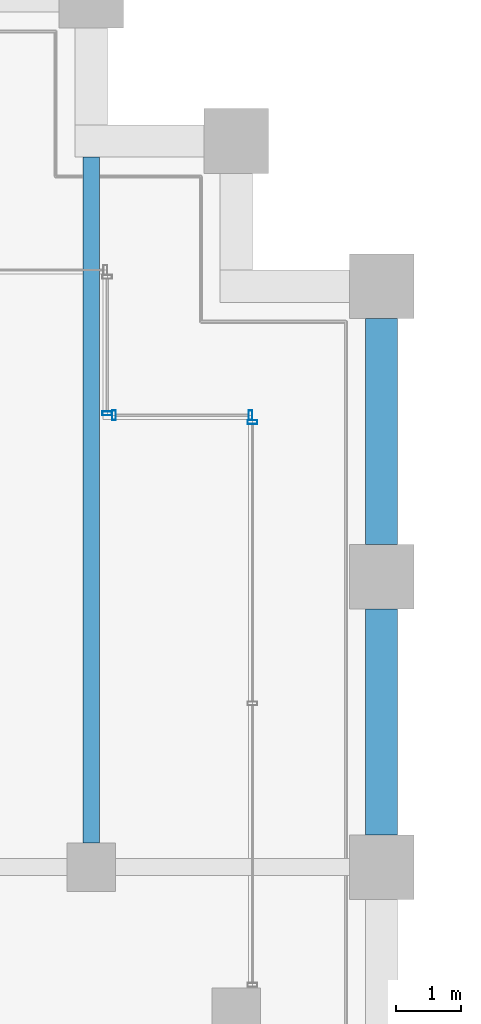
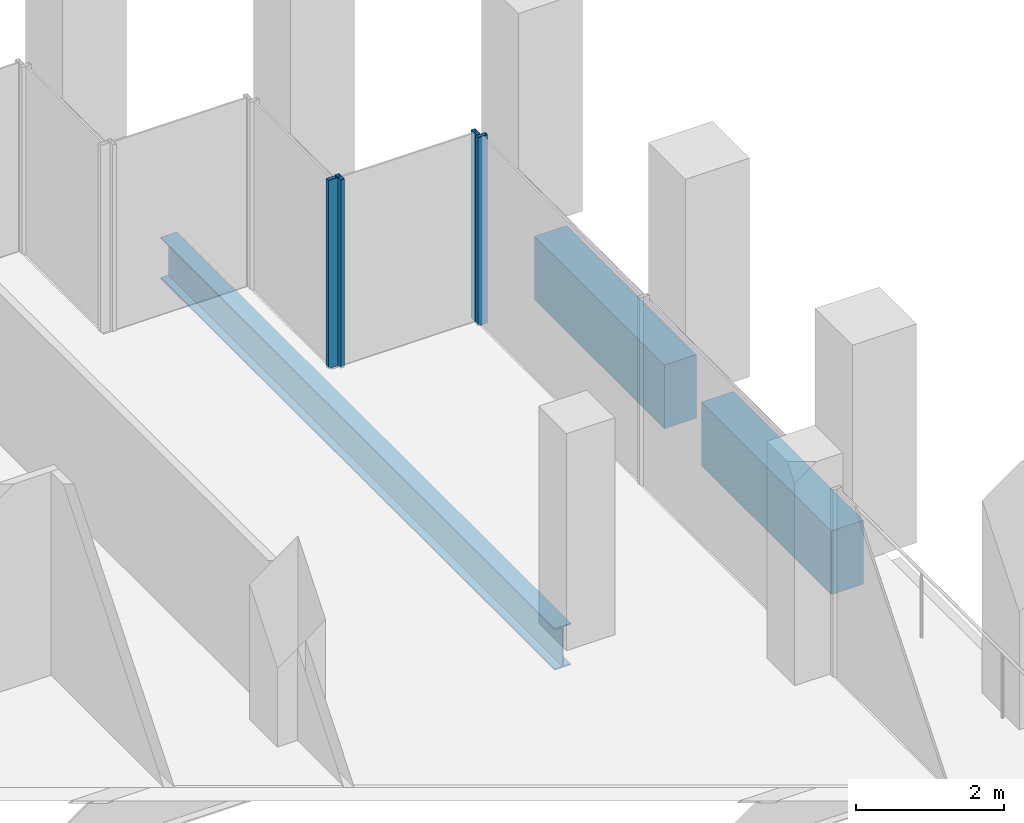
# One storey, part 25 of 45: 4 members, 3 beams, 3 elements without a shape of their own.
"""IFC4 building model written with IfcOpenShell, lengths in metres."""

from ifc_helpers import new_model, si_unit, direction, frame, origin, origin_2d, place, context, subcontext, project, spatial, rectangle, hollow_rectangle, i_section, extrude, material, material_profile, profile_set, type_object, element, aggregate, save


model = new_model("IFC4")

# Units and contexts
model_context = context("Model", 3, precision=1e-05, world=origin(), true_north=direction((0.0, 1.0)))
body_context = subcontext(model_context, "Body", "Model", "MODEL_VIEW")
ifc_project = project(units=[si_unit("LENGTHUNIT", "METRE"), si_unit("AREAUNIT", "SQUARE_METRE"), si_unit("VOLUMEUNIT", "CUBIC_METRE"), si_unit("PLANEANGLEUNIT", "RADIAN"), si_unit("MASSUNIT", "GRAM", prefix="KILO")], contexts=[model_context])

# Site, building, storey
site_placement = place(None, origin())
site = spatial("IfcSite", under=ifc_project, at=site_placement, CompositionType="ELEMENT")
building_placement = place(site_placement, origin())
building = spatial("IfcBuilding", under=site, at=building_placement, Name="Altepetl Exchange Towers", CompositionType="ELEMENT")
storey_placement = place(building_placement, frame((0.0, 0.0, 110.0)))
storey = spatial("IfcBuildingStorey", under=building, at=storey_placement, Name="L27", CompositionType="ELEMENT", Elevation=110.0)

# Beam
ifc_material_1 = material(Name="Steel S355", Category="steel")
ifc_material_profile_1 = material_profile(ifc_material_1, i_section(OverallWidth=0.25390625, OverallDepth=0.68408203125, WebThickness=0.012451171875, FlangeThickness=0.018798828125, at=origin_2d()), Name="W27X94")
ifc_profile_set_1 = profile_set([ifc_material_profile_1], Name="Steel S355")
beam_type_1 = type_object("IfcBeamType", Name="Floor beam W27X94", PredefinedType="BEAM", material=ifc_profile_set_1)
beam_placement = place(storey_placement, frame((67.5, 58.875, -0.491943359375), z_axis=(0.0, 1.0, 0.0), x_axis=(-1.0, 0.0, 0.0)))
element("IfcBeam", 1, at=beam_placement, inside=storey, type_object=beam_type_1, Name="bm:A:L27:005", PredefinedType="BEAM", context=body_context, shape_type="SweptSolid", body=[
    extrude(i_section(OverallWidth=0.25390625, OverallDepth=0.68408203125, WebThickness=0.012451171875, FlangeThickness=0.018798828125, at=origin_2d()), origin(), (0.0, 0.0, 1.0), 10.625),
])

# Curtain wall, member
ifc_material_2 = material(Name="Aluminium 6063-T6 glazing", Category="aluminium")
curtain_wall_type = type_object("IfcCurtainWallType", Name="Loggia glazing system", PredefinedType="NOTDEFINED", material=ifc_material_2)
curtain_wall_1_placement = place(storey_placement, origin())
curtain_wall_1 = element("IfcCurtainWall", 2, at=curtain_wall_1_placement, inside=storey, type_object=curtain_wall_type, Name="CW1 run", PredefinedType="NOTDEFINED")
ifc_material_3 = material(Name="Aluminium 6063-T6", Category="aluminium")
ifc_material_profile_2 = material_profile(ifc_material_3, hollow_rectangle(XDim=0.06005859375, YDim=0.14990234375, WallThickness=0.0029296875, at=origin_2d()), Name="Mullion 60x150 aluminium")
ifc_profile_set_2 = profile_set([ifc_material_profile_2], Name="Aluminium 6063-T6")
member_type = type_object("IfcMemberType", Name="Mullion 60x150 aluminium", PredefinedType="MULLION", material=ifc_profile_set_2)
member_1_placement = place(storey_placement, frame((70.0, 65.39501953125, 0.0), z_axis=(0.0, 0.0, 1.0), x_axis=(0.0, 1.0, 0.0)))
member_1 = element("IfcMember", 3, at=member_1_placement, type_object=member_type, Name="MU1 mullion", PredefinedType="MULLION", context=body_context, shape_type="SweptSolid", body=[
    extrude(hollow_rectangle(XDim=0.06005859375, YDim=0.14990234375, WallThickness=0.0029296875, at=origin_2d()), origin(), (0.0, 0.0, 1.0), 3.10009765625),
])
aggregate(curtain_wall_1, [member_1])

# Curtain wall, members
curtain_wall_2_placement = place(storey_placement, origin())
curtain_wall_2 = element("IfcCurtainWall", 4, at=curtain_wall_2_placement, inside=storey, type_object=curtain_wall_type, Name="CW1 run", PredefinedType="NOTDEFINED")
member_2_placement = place(storey_placement, frame((69.969970703125, 65.5, 0.0), z_axis=(0.0, 0.0, 1.0), x_axis=(-1.0, 0.0, 0.0)))
member_2 = element("IfcMember", 5, at=member_2_placement, type_object=member_type, Name="MU1 mullion", PredefinedType="MULLION", context=body_context, shape_type="SweptSolid", body=[
    extrude(hollow_rectangle(XDim=0.06005859375, YDim=0.14990234375, WallThickness=0.0029296875, at=origin_2d()), origin(), (0.0, 0.0, 1.0), 3.10009765625),
])
member_3_placement = place(storey_placement, frame((67.85498046875, 65.5, 0.0), z_axis=(0.0, 0.0, 1.0), x_axis=(-1.0, 0.0, 0.0)))
member_3 = element("IfcMember", 6, at=member_3_placement, type_object=member_type, Name="MU1 mullion", PredefinedType="MULLION", context=body_context, shape_type="SweptSolid", body=[
    extrude(hollow_rectangle(XDim=0.06005859375, YDim=0.14990234375, WallThickness=0.0029296875, at=origin_2d()), origin(), (0.0, 0.0, 1.0), 3.10009765625),
])
aggregate(curtain_wall_2, [member_2, member_3])

# Curtain wall, member
curtain_wall_3_placement = place(storey_placement, origin())
curtain_wall_3 = element("IfcCurtainWall", 7, at=curtain_wall_3_placement, inside=storey, type_object=curtain_wall_type, Name="CW1 run", PredefinedType="NOTDEFINED")
member_4_placement = place(storey_placement, frame((67.75, 65.530029296875, 0.0), z_axis=(0.0, 0.0, 1.0), x_axis=(0.0, 1.0, 0.0)))
member_4 = element("IfcMember", 8, at=member_4_placement, type_object=member_type, Name="MU1 mullion", PredefinedType="MULLION", context=body_context, shape_type="SweptSolid", body=[
    extrude(hollow_rectangle(XDim=0.06005859375, YDim=0.14990234375, WallThickness=0.0029296875, at=origin_2d()), origin(), (0.0, 0.0, 1.0), 3.10009765625),
])
aggregate(curtain_wall_3, [member_4])

# Beams
ifc_material_4 = material(Name="Concrete C50/60 precast with cantera rosa facing", Category="concrete")
ifc_material_profile_3 = material_profile(ifc_material_4, rectangle(XDim=0.5, YDim=1.050048828125, at=origin_2d()), Name="500 x 1050")
ifc_profile_set_3 = profile_set([ifc_material_profile_3], Name="Concrete C50/60 precast with cantera rosa facing")
beam_type_2 = type_object("IfcBeamType", Name="Spandrel beam 500x1050 cantera rosa", PredefinedType="SPANDREL", material=ifc_profile_set_3)
for number, where, z_axis, x_axis, name in (
    (9, (72.0, 59.0, -0.675048828125), (0.0, 1.0, 0.0), (-1.0, 0.0, 0.0), "sp:A:L27:018"),
    (10, (72.0, 63.5, -0.675048828125), (0.0, 1.0, 0.0), (-1.0, 0.0, 0.0), "sp:A:L27:019"),
):
    element("IfcBeam", number, at=place(storey_placement, frame(where, z_axis=z_axis, x_axis=x_axis)), inside=storey, type_object=beam_type_2, Name=name, PredefinedType="SPANDREL", context=body_context, shape_type="SweptSolid", body=[
        extrude(rectangle(XDim=0.5, YDim=1.050048828125, at=origin_2d()), origin(), (0.0, 0.0, 1.0), 3.5),
    ])

save(model, "model.ifc")
